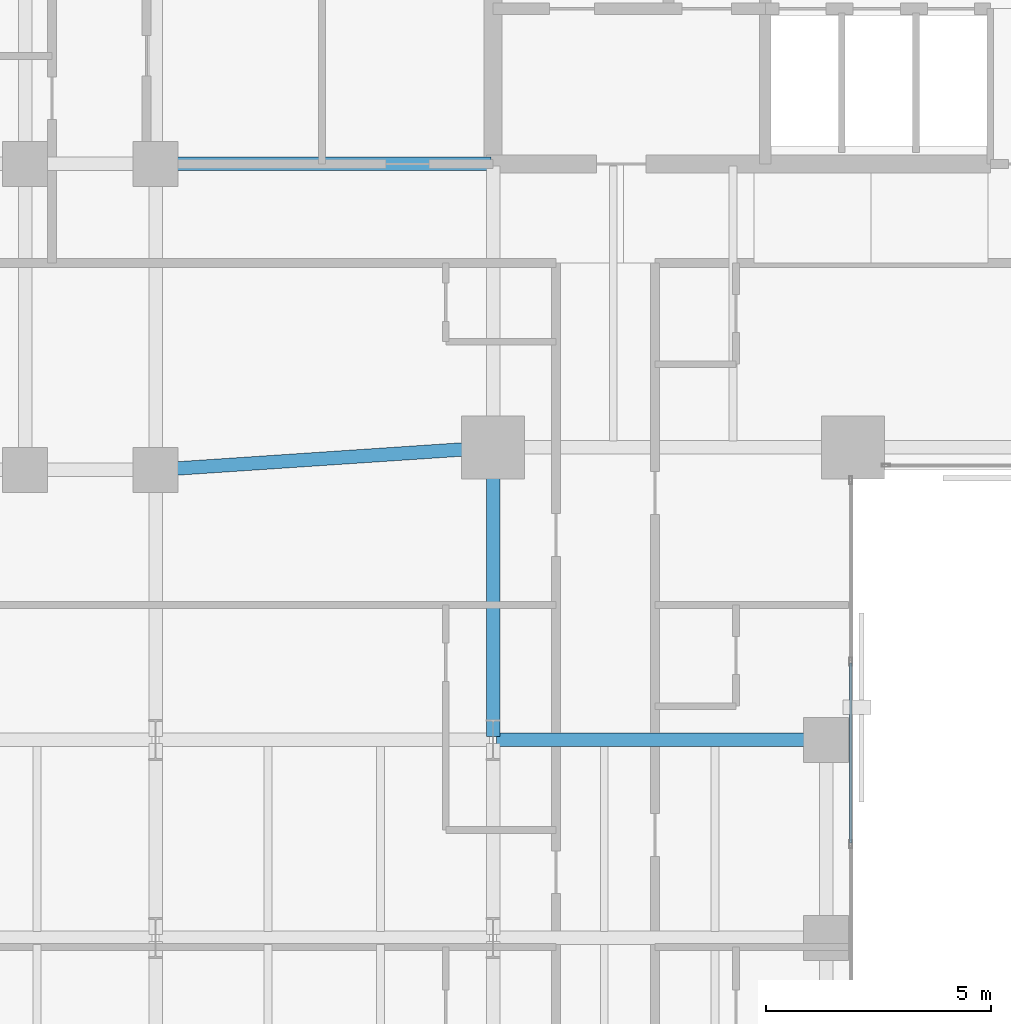
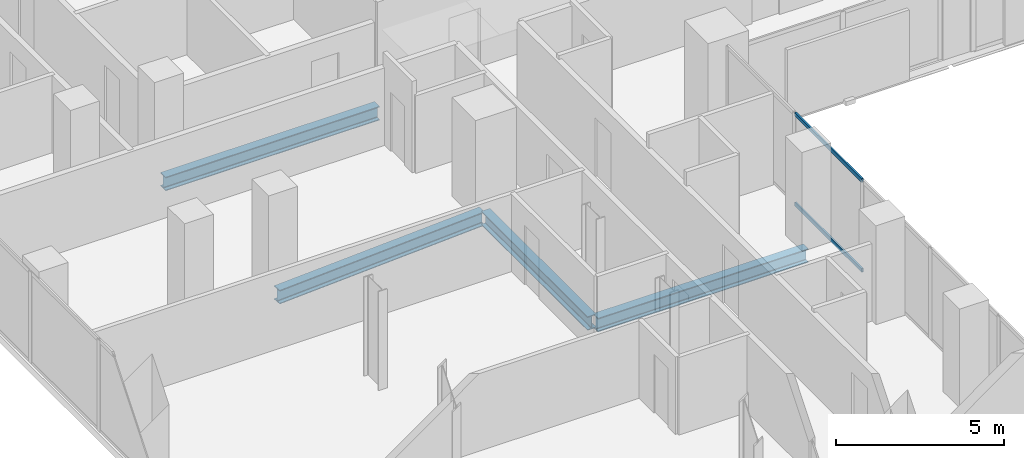
# One storey, part 11 of 31: 4 beams, 2 members, 1 element without a shape of its own.
"""IFC4 building model written with IfcOpenShell, lengths in metres."""

from ifc_helpers import new_model, si_unit, direction, frame, origin, origin_2d, place, context, subcontext, project, spatial, hollow_rectangle, i_section, extrude, material, layer, layer_set, material_profile, profile_set, type_object, element, aggregate, save


model = new_model("IFC4")

# Units and contexts
model_context = context("Model", 3, precision=1e-05, world=origin(), true_north=direction((0.0, 1.0)))
body_context = subcontext(model_context, "Body", "Model", "MODEL_VIEW")
ifc_project = project(units=[si_unit("LENGTHUNIT", "METRE"), si_unit("AREAUNIT", "SQUARE_METRE"), si_unit("VOLUMEUNIT", "CUBIC_METRE"), si_unit("PLANEANGLEUNIT", "RADIAN"), si_unit("MASSUNIT", "GRAM", prefix="KILO")], contexts=[model_context])

# Site, building, storey
site_placement = place(None, origin())
site = spatial("IfcSite", under=ifc_project, at=site_placement, CompositionType="ELEMENT")
building_placement = place(site_placement, origin())
building = spatial("IfcBuilding", under=site, at=building_placement, Name="Catumbela Crestline Tower", CompositionType="ELEMENT")
storey_placement = place(building_placement, frame((0.0, 0.0, 40.2)))
storey = spatial("IfcBuildingStorey", under=building, at=storey_placement, Name="L09", CompositionType="ELEMENT", Elevation=40.2)

# Beams
ifc_material_1 = material(Name="Structural steel S355J2", Category="steel")
ifc_material_profile_1 = material_profile(ifc_material_1, i_section(OverallWidth=0.3, OverallDepth=0.5, WebThickness=0.0145, FlangeThickness=0.028, FilletRadius=0.027, at=origin_2d()), Name="HEB 500")
ifc_profile_set_1 = profile_set([ifc_material_profile_1], Name="Structural steel S355J2")
beam_type = type_object("IfcBeamType", Name="BG-HEB500", PredefinedType="BEAM", material=ifc_profile_set_1)
beam_1_placement = place(storey_placement, frame((8.5798, 24.0053, -0.51), z_axis=(0.997784796964, 0.066524423687, 0.0), x_axis=(-0.066524423687, 0.997784796964, 0.0)))
element("IfcBeam", 1, at=beam_1_placement, inside=storey, type_object=beam_type, Name="L09 Beam BM-L09-S03", PredefinedType="BEAM", context=body_context, shape_type="SweptSolid", body=[
    extrude(i_section(OverallWidth=0.3, OverallDepth=0.5, WebThickness=0.0145, FlangeThickness=0.028, FilletRadius=0.027, at=origin_2d()), origin(), (0.0, 0.0, 1.0), 7.3567),
])
beam_2_placement = place(storey_placement, frame((8.58, 30.8, -0.51), z_axis=(1.0, 0.0, 0.0), x_axis=(0.0, 1.0, 0.0)))
element("IfcBeam", 2, at=beam_2_placement, inside=storey, type_object=beam_type, Name="L09 Beam BM-L09-M09", PredefinedType="BEAM", context=body_context, shape_type="SweptSolid", body=[
    extrude(i_section(OverallWidth=0.3, OverallDepth=0.5, WebThickness=0.0145, FlangeThickness=0.028, FilletRadius=0.027, at=origin_2d()), origin(), (0.0, 0.0, 1.0), 7.37),
])
beam_3_placement = place(storey_placement, frame((16.08, 18.0, -0.51), z_axis=(1.0, 0.0, 0.0), x_axis=(0.0, 1.0, 0.0)))
element("IfcBeam", 3, at=beam_3_placement, inside=storey, type_object=beam_type, Name="L09 Beam BM-L09-WEW56", PredefinedType="BEAM", context=body_context, shape_type="SweptSolid", body=[
    extrude(i_section(OverallWidth=0.3, OverallDepth=0.5, WebThickness=0.0145, FlangeThickness=0.028, FilletRadius=0.027, at=origin_2d()), origin(), (0.0, 0.0, 1.0), 7.24),
])
beam_4_placement = place(storey_placement, frame((16.0, 18.08, -0.51), z_axis=(0.0, 1.0, 0.0), x_axis=(-1.0, 0.0, 0.0)))
element("IfcBeam", 4, at=beam_4_placement, inside=storey, type_object=beam_type, Name="L09 Beam BM-L09-WNS67", PredefinedType="BEAM", context=body_context, shape_type="SweptSolid", body=[
    extrude(i_section(OverallWidth=0.3, OverallDepth=0.5, WebThickness=0.0145, FlangeThickness=0.028, FilletRadius=0.027, at=origin_2d()), origin(), (0.0, 0.0, 1.0), 6.34),
])

# Curtain wall, members
ifc_material_2 = material(Name="Aluminium alloy AW-6060-T66", Category="aluminium")
ifc_layer = layer(ifc_material_2, 0.18, Name="Aluminium alloy AW-6060-T66")
ifc_layer_set = layer_set([ifc_layer], Name="Aluminium alloy AW-6060-T66")
curtain_wall_type = type_object("IfcCurtainWallType", Name="CWU-Z1", PredefinedType="USERDEFINED", material=ifc_layer_set)
curtain_wall_placement = place(storey_placement, origin())
curtain_wall = element("IfcCurtainWall", 5, at=curtain_wall_placement, inside=storey, type_object=curtain_wall_type, Name="L09 Unitised Curtain Wall CW-L09-E2S1", ObjectType="UNITISED", PredefinedType="USERDEFINED")
ifc_material_profile_2 = material_profile(ifc_material_2, hollow_rectangle(XDim=0.06, YDim=0.14, WallThickness=0.004, at=origin_2d()), Name="ALU 140x60x4")
ifc_profile_set_2 = profile_set([ifc_material_profile_2], Name="Aluminium alloy AW-6060-T66")
member_type = type_object("IfcMemberType", Name="TRN-140X60", PredefinedType="USERDEFINED", material=ifc_profile_set_2)
member_1_placement = place(storey_placement, frame((23.95, 15.7125, 0.03), z_axis=(0.0, 1.0, 0.0), x_axis=(-1.0, 0.0, 0.0)))
member_1 = element("IfcMember", 6, at=member_1_placement, type_object=member_type, Name="CWU-Z1 transom 4.1", ObjectType="TRANSOM", PredefinedType="USERDEFINED", context=body_context, shape_type="SweptSolid", body=[
    extrude(hollow_rectangle(XDim=0.06, YDim=0.14, WallThickness=0.004, at=origin_2d()), origin(), (0.0, 0.0, 1.0), 3.995),
])
member_2_placement = place(storey_placement, frame((23.95, 15.7125, 3.3), z_axis=(0.0, 1.0, 0.0), x_axis=(-1.0, 0.0, 0.0)))
member_2 = element("IfcMember", 7, at=member_2_placement, type_object=member_type, Name="CWU-Z1 transom 4.2", ObjectType="TRANSOM", PredefinedType="USERDEFINED", context=body_context, shape_type="SweptSolid", body=[
    extrude(hollow_rectangle(XDim=0.06, YDim=0.14, WallThickness=0.004, at=origin_2d()), origin(), (0.0, 0.0, 1.0), 3.995),
])
aggregate(curtain_wall, [member_1, member_2])

save(model, "model.ifc")
